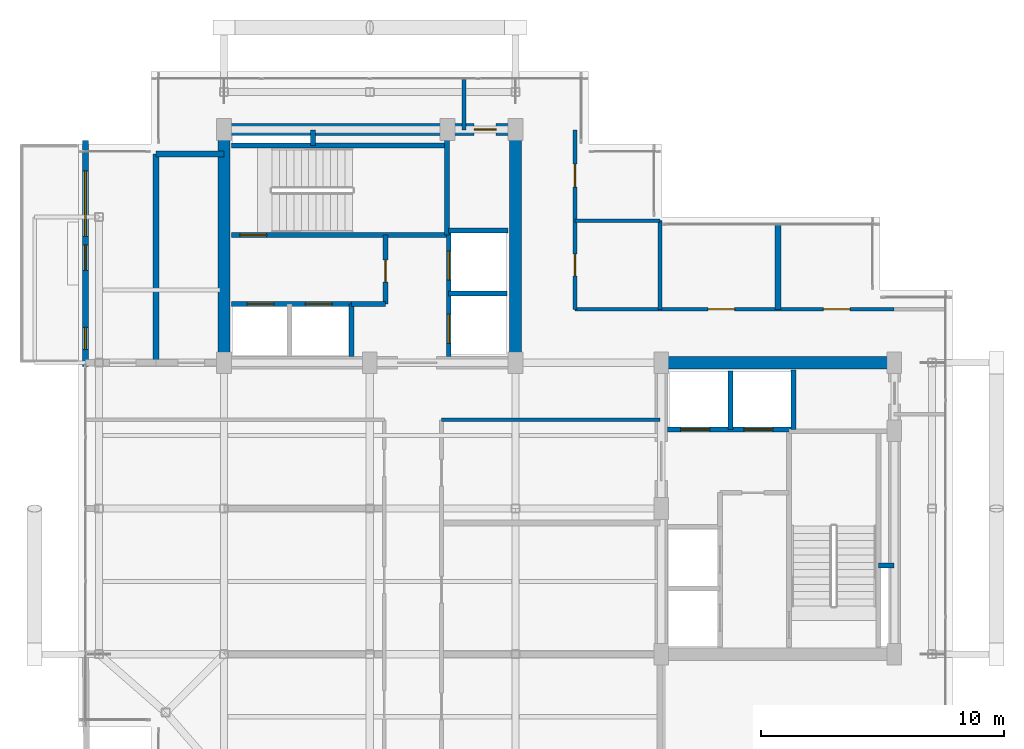
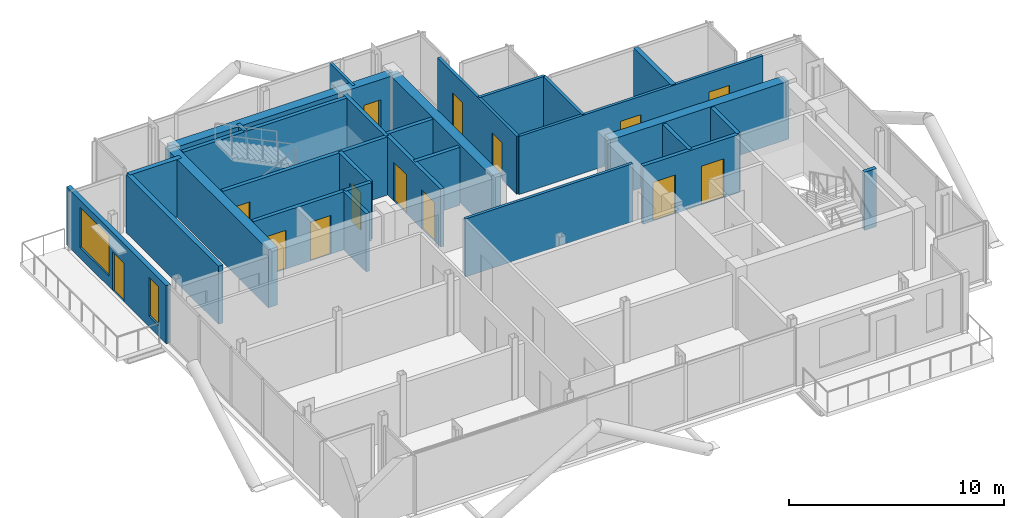
# One storey, part 16 of 19: 29 walls, 14 doors, 2 windows, 16 openings.
"""IFC4 building model written with IfcOpenShell, lengths in metres."""

from ifc_helpers import new_model, si_unit, direction, frame, frame_2d, origin, place, context, subcontext, project, spatial, rectangle, extrude, material, layer, layer_set, type_object, element, fill, save


model = new_model("IFC4")

# Units and contexts
model_context = context("Model", 3, precision=1e-05, world=origin(), true_north=direction((0.0, 1.0)))
body_context = subcontext(model_context, "Body", "Model", "MODEL_VIEW")
ifc_project = project(units=[si_unit("LENGTHUNIT", "METRE"), si_unit("AREAUNIT", "SQUARE_METRE"), si_unit("VOLUMEUNIT", "CUBIC_METRE"), si_unit("PLANEANGLEUNIT", "RADIAN"), si_unit("MASSUNIT", "GRAM", prefix="KILO"), si_unit("THERMODYNAMICTEMPERATUREUNIT", "KELVIN"), si_unit("POWERUNIT", "WATT")], contexts=[model_context])

# Site, building, storey
site_placement = place(None, origin())
site = spatial("IfcSite", under=ifc_project, at=site_placement, CompositionType="ELEMENT")
building_placement = place(site_placement, origin())
building = spatial("IfcBuilding", under=site, at=building_placement, Name="Svarakhadi Broadcast Tower", CompositionType="ELEMENT")
storey_placement = place(building_placement, frame((0.0, 0.0, 285.199951171875)))
storey = spatial("IfcBuildingStorey", under=building, at=storey_placement, Name="L72", CompositionType="ELEMENT", Elevation=285.199951171875)

# Walls
ifc_material_1 = material(Name="Double-Stud Acoustic Studio Partition STC-62", Category="gypsum")
ifc_layer_1 = layer(ifc_material_1, 0.25)
ifc_layer_set_1 = layer_set([ifc_layer_1], Name="Double-Stud Acoustic Studio Partition STC-62")
wall_type_1 = type_object("IfcWallType", Name="Wall_Acoust_250", PredefinedType="PARTITIONING", material=ifc_layer_set_1)
wall_1_placement = place(storey_placement, frame((28.800048828125, 20.199951171875, 0.0), z_axis=(0.0, 0.0, 1.0), x_axis=(0.0, 1.0, 0.0)))
element("IfcWall", 1, at=wall_1_placement, inside=storey, type_object=wall_type_1, Name="L72 Harbour Sky Club Reading Room Wall", PredefinedType="PARTITIONING", context=body_context, shape_type="SweptSolid", body=[
    extrude(rectangle(XDim=3.5, YDim=0.25, at=frame_2d((1.75, 0.0))), origin(), (0.0, 0.0, 1.0), 3.300048828125),
])
wall_2_placement = place(storey_placement, frame((3.199951171875, 18.0, 0.0), z_axis=(0.0, 0.0, 1.0), x_axis=(0.0, 1.0, 0.0)))
element("IfcWall", 2, at=wall_2_placement, inside=storey, type_object=wall_type_1, Name="L72 State Reception Salon Wall", PredefinedType="PARTITIONING", context=body_context, shape_type="SweptSolid", body=[
    extrude(rectangle(XDim=8.60009765625, YDim=0.25, at=frame_2d((4.300048828125, 0.0))), origin(), (0.0, 0.0, 1.0), 3.300048828125),
])
wall_3_placement = place(storey_placement, frame((3.199951171875, 26.60009765625, 0.0), z_axis=(0.0, 0.0, 1.0), x_axis=(1.0, 0.0, 0.0)))
element("IfcWall", 3, at=wall_3_placement, inside=storey, type_object=wall_type_1, Name="L72 Protocol Registry Office Wall", PredefinedType="PARTITIONING", context=body_context, shape_type="SweptSolid", body=[
    extrude(rectangle(XDim=2.800048828125, YDim=0.25, at=frame_2d((1.39990234375, 0.0))), origin(), (0.0, 0.0, 1.0), 3.300048828125),
])

# Wall, openings, door, windows
ifc_material_2 = material(Name="Concrete C40/50 (IS 456 M50)", Category="concrete")
ifc_layer_2 = layer(ifc_material_2, 0.239990234375)
ifc_layer_set_2 = layer_set([ifc_layer_2], Name="Concrete C40/50 (IS 456 M50)")
wall_type_2 = type_object("IfcWallType", Name="Wall_Ext_240", PredefinedType="SOLIDWALL", material=ifc_layer_set_2)
wall_4_placement = place(storey_placement, frame((0.300048828125, 17.85498046875, 0.0), z_axis=(0.0, 0.0, 1.0), x_axis=(0.0, 1.0, 0.0)))
wall_4 = element("IfcWall", 4, at=wall_4_placement, inside=storey, type_object=wall_type_2, Name="L72 West Tree Balcony Spandrel Wall", PredefinedType="SOLIDWALL", context=body_context, shape_type="SweptSolid", body=[
    extrude(rectangle(XDim=9.2900390625, YDim=0.239990234375, at=frame_2d((4.64501953125, 0.0))), origin(), (0.0, 0.0, 1.0), 3.300048828125),
])
opening_1_placement = place(wall_4_placement, frame((3.945068359375, 0.0, 0.0)))
opening_1 = element("IfcOpeningElement", 5, at=opening_1_placement, cuts=wall_4, Name="Opening ED-05", PredefinedType="OPENING", context=body_context, shape_type="SweptSolid", body=[
    extrude(rectangle(XDim=1.050048828125, YDim=2.199951171875, at=frame_2d((0.52490234375, 1.10009765625))), frame((0.0, 0.1298828125, 0.0), z_axis=(0.0, -1.0, 0.0), x_axis=(1.0, 0.0, 0.0)), (0.0, 0.0, 1.0), 0.260009765625),
])
opening_2_placement = place(wall_4_placement, frame((5.344970703125, 0.0, 0.60009765625)))
opening_2 = element("IfcOpeningElement", 6, at=opening_2_placement, cuts=wall_4, Name="Opening WN-07", PredefinedType="OPENING", context=body_context, shape_type="SweptSolid", body=[
    extrude(rectangle(XDim=2.699951171875, YDim=2.300048828125, at=frame_2d((1.35009765625, 1.14990234375))), frame((0.0, 0.1298828125, 0.0), z_axis=(0.0, -1.0, 0.0), x_axis=(1.0, 0.0, 0.0)), (0.0, 0.0, 1.0), 0.260009765625),
])
opening_3_placement = place(wall_4_placement, frame((0.699951171875, 0.0, 0.60009765625)))
opening_3 = element("IfcOpeningElement", 7, at=opening_3_placement, cuts=wall_4, Name="Opening WN-04", PredefinedType="OPENING", context=body_context, shape_type="SweptSolid", body=[
    extrude(rectangle(XDim=0.89990234375, YDim=2.199951171875, at=frame_2d((0.449951171875, 1.10009765625))), frame((0.0, 0.1298828125, 0.0), z_axis=(0.0, -1.0, 0.0), x_axis=(1.0, 0.0, 0.0)), (0.0, 0.0, 1.0), 0.260009765625),
])
ifc_material_3 = material(Name="Anodised Bronze Aluminium AA 6063-T6", Category="aluminium")
door_type_1 = type_object("IfcDoorType", Name="Door_Ext_ED05", OperationType="SINGLE_SWING_LEFT", PredefinedType="DOOR", material=ifc_material_3)
door_1_placement = place(opening_1_placement, origin())
door_1 = element("IfcDoor", 8, at=door_1_placement, inside=storey, type_object=door_type_1, Name="L72 West Tree Balcony Door", OperationType="SINGLE_SWING_LEFT", OverallHeight=2.199951171875, OverallWidth=1.050048828125, PredefinedType="DOOR", context=body_context, shape_type="SweptSolid", body=[
    extrude(rectangle(XDim=1.050048828125, YDim=2.199951171875, at=frame_2d((0.52490234375, 1.10009765625))), frame((0.0, 0.02490234375, 0.0), z_axis=(0.0, -1.0, 0.0), x_axis=(1.0, 0.0, 0.0)), (0.0, 0.0, 1.0), 0.050048828125),
])
fill(opening_1, door_1)
ifc_material_4 = material(Name="Double Low-E Laminated Acoustic Glass IGU 36 mm", Category="glass")
window_type_1 = type_object("IfcWindowType", Name="Win_Resi_WN07", PartitioningType="SINGLE_PANEL", PredefinedType="WINDOW", material=ifc_material_4)
window_1_placement = place(opening_2_placement, origin())
window_1 = element("IfcWindow", 9, at=window_1_placement, inside=storey, type_object=window_type_1, Name="L72 West Tree Balcony Window", OverallHeight=2.300048828125, OverallWidth=2.699951171875, PartitioningType="SINGLE_PANEL", PredefinedType="WINDOW", context=body_context, shape_type="SweptSolid", body=[
    extrude(rectangle(XDim=2.699951171875, YDim=2.300048828125, at=frame_2d((1.35009765625, 1.14990234375))), frame((0.0, 0.030029296875, 0.0), z_axis=(0.0, -1.0, 0.0), x_axis=(1.0, 0.0, 0.0)), (0.0, 0.0, 1.0), 0.06005859375),
])
fill(opening_2, window_1)
window_type_2 = type_object("IfcWindowType", Name="Win_Slot_WN04", PartitioningType="SINGLE_PANEL", PredefinedType="WINDOW", material=ifc_material_4)
window_2_placement = place(opening_3_placement, origin())
window_2 = element("IfcWindow", 10, at=window_2_placement, inside=storey, type_object=window_type_2, Name="L72 West Secondary Bedroom Slot Window", OverallHeight=2.199951171875, OverallWidth=0.89990234375, PartitioningType="SINGLE_PANEL", PredefinedType="WINDOW", context=body_context, shape_type="SweptSolid", body=[
    extrude(rectangle(XDim=0.89990234375, YDim=2.199951171875, at=frame_2d((0.449951171875, 1.10009765625))), frame((0.0, 0.030029296875, 0.0), z_axis=(0.0, -1.0, 0.0), x_axis=(1.0, 0.0, 0.0)), (0.0, 0.0, 1.0), 0.06005859375),
])
fill(opening_3, window_2)

# Walls
ifc_layer_3 = layer(ifc_material_2, 0.199951171875)
ifc_layer_set_3 = layer_set([ifc_layer_3], Name="Concrete C40/50 (IS 456 M50)")
wall_type_3 = type_object("IfcWallType", Name="Wall_Fire_200", PredefinedType="SOLIDWALL", material=ifc_layer_set_3)
for number, where, z_axis, x_axis, name in (
    (11, (9.659912109375, 26.93994140625, 0.0), (0.0, 0.0, 1.0), (0.0, 1.0, 0.0), "L72 Wet Riser Shaft East Wall"),
    (12, (32.93994140625, 9.659912109375, 0.0), (0.0, 0.0, 1.0), (1.0, 0.0, 0.0), "L72 HV Busduct Riser Shaft North Wall"),
):
    element("IfcWall", number, at=place(storey_placement, frame(where, z_axis=z_axis, x_axis=x_axis)), inside=storey, type_object=wall_type_3, Name=name, PredefinedType="SOLIDWALL", context=body_context, shape_type="SweptSolid", body=[
        extrude(rectangle(XDim=0.64013671875, YDim=0.199951171875, at=frame_2d((0.320068359375, 0.0))), origin(), (0.0, 0.0, 1.0), 3.300048828125),
    ])
ifc_material_5 = material(Name="Autoclaved Aerated Concrete Blockwork 150 mm", Category="masonry")
ifc_layer_4 = layer(ifc_material_5, 0.14990234375)
ifc_layer_set_4 = layer_set([ifc_layer_4], Name="Autoclaved Aerated Concrete Blockwork 150 mm")
wall_type_4 = type_object("IfcWallType", Name="Wall_Part_150", PredefinedType="PARTITIONING", material=ifc_layer_set_4)
wall_5_placement = place(storey_placement, frame((15.8798828125, 27.580078125, 0.0), z_axis=(0.0, 0.0, 1.0), x_axis=(0.0, 1.0, 0.0)))
element("IfcWall", 13, at=wall_5_placement, inside=storey, type_object=wall_type_4, Name="L72 Upper Tower Concourse Wall", PredefinedType="PARTITIONING", context=body_context, shape_type="SweptSolid", body=[
    extrude(rectangle(XDim=2.119873046875, YDim=0.14990234375, at=frame_2d((1.06005859375, 0.0))), origin(), (0.0, 0.0, 1.0), 3.300048828125),
])

# Wall, openings, doors
wall_6_placement = place(storey_placement, frame((20.449951171875, 27.580078125, 0.0), z_axis=(0.0, 0.0, 1.0), x_axis=(0.0, -1.0, 0.0)))
wall_6 = element("IfcWall", 14, at=wall_6_placement, inside=storey, type_object=wall_type_4, Name="L72 Upper Tower Concourse Wall", PredefinedType="PARTITIONING", context=body_context, shape_type="SweptSolid", body=[
    extrude(rectangle(XDim=7.380126953125, YDim=0.14990234375, at=frame_2d((3.68994140625, 0.0))), origin(), (0.0, 0.0, 1.0), 3.300048828125),
])
opening_4_placement = place(wall_6_placement, frame((5.10498046875, 0.0, 0.0)))
opening_4 = element("IfcOpeningElement", 15, at=opening_4_placement, cuts=wall_6, Name="Opening D-12", PredefinedType="OPENING", context=body_context, shape_type="SweptSolid", body=[
    extrude(rectangle(XDim=0.89990234375, YDim=2.10009765625, at=frame_2d((0.449951171875, 1.050048828125))), frame((0.0, 0.0849609375, 0.0), z_axis=(0.0, -1.0, 0.0), x_axis=(1.0, 0.0, 0.0)), (0.0, 0.0, 1.0), 0.169921875),
])
opening_5_placement = place(wall_6_placement, frame((1.405029296875, 0.0, 0.0)))
opening_5 = element("IfcOpeningElement", 16, at=opening_5_placement, cuts=wall_6, Name="Opening D-07", PredefinedType="OPENING", context=body_context, shape_type="SweptSolid", body=[
    extrude(rectangle(XDim=0.949951171875, YDim=2.14990234375, at=frame_2d((0.47509765625, 1.074951171875))), frame((0.0, 0.0849609375, 0.0), z_axis=(0.0, -1.0, 0.0), x_axis=(1.0, 0.0, 0.0)), (0.0, 0.0, 1.0), 0.169921875),
])
ifc_material_6 = material(Name="Solid-Core Teak Veneer Acoustic Timber Leaf", Category="wood")
door_type_2 = type_object("IfcDoorType", Name="Door_Office_D07", OperationType="SINGLE_SWING_RIGHT", PredefinedType="DOOR", material=ifc_material_6)
door_2_placement = place(opening_5_placement, origin())
door_2 = element("IfcDoor", 17, at=door_2_placement, inside=storey, type_object=door_type_2, Name="L72 Hotel Butler Service Pantry Door", OperationType="SINGLE_SWING_RIGHT", OverallHeight=2.14990234375, OverallWidth=0.949951171875, PredefinedType="DOOR", context=body_context, shape_type="SweptSolid", body=[
    extrude(rectangle(XDim=0.949951171875, YDim=2.14990234375, at=frame_2d((0.47509765625, 1.074951171875))), frame((0.0, 0.02490234375, 0.0), z_axis=(0.0, -1.0, 0.0), x_axis=(1.0, 0.0, 0.0)), (0.0, 0.0, 1.0), 0.050048828125),
])
fill(opening_5, door_2)
door_type_3 = type_object("IfcDoorType", Name="Door_WC_D01", OperationType="SINGLE_SWING_LEFT", PredefinedType="DOOR", material=ifc_material_6)
door_3_placement = place(opening_4_placement, origin())
door_3 = element("IfcDoor", 18, at=door_3_placement, inside=storey, type_object=door_type_3, Name="L72 Accessible Visitor Washroom WC Door", OperationType="SINGLE_SWING_LEFT", OverallHeight=2.10009765625, OverallWidth=0.89990234375, PredefinedType="DOOR", context=body_context, shape_type="SweptSolid", body=[
    extrude(rectangle(XDim=0.89990234375, YDim=2.10009765625, at=frame_2d((0.449951171875, 1.050048828125))), frame((0.0, 0.02490234375, 0.0), z_axis=(0.0, -1.0, 0.0), x_axis=(1.0, 0.0, 0.0)), (0.0, 0.0, 1.0), 0.050048828125),
])
fill(opening_4, door_3)

wall_7_placement = place(storey_placement, frame((20.449951171875, 20.199951171875, 0.0), z_axis=(0.0, 0.0, 1.0), x_axis=(1.0, 0.0, 0.0)))
wall_7 = element("IfcWall", 19, at=wall_7_placement, inside=storey, type_object=wall_type_4, Name="L72 Upper Tower Concourse Wall", PredefinedType="PARTITIONING", context=body_context, shape_type="SweptSolid", body=[
    extrude(rectangle(XDim=13.130126953125, YDim=0.14990234375, at=frame_2d((6.56494140625, 0.0))), origin(), (0.0, 0.0, 1.0), 3.300048828125),
])
opening_6_placement = place(wall_7_placement, frame((5.47509765625, 0.0, 0.0)))
opening_6 = element("IfcOpeningElement", 20, at=opening_6_placement, cuts=wall_7, Name="Opening D-10", PredefinedType="OPENING", context=body_context, shape_type="SweptSolid", body=[
    extrude(rectangle(XDim=1.10009765625, YDim=2.25, at=frame_2d((0.550048828125, 1.125))), frame((0.0, 0.0849609375, 0.0), z_axis=(0.0, -1.0, 0.0), x_axis=(1.0, 0.0, 0.0)), (0.0, 0.0, 1.0), 0.169921875),
])
opening_7_placement = place(wall_7_placement, frame((10.22509765625, 0.0, 0.0)))
opening_7 = element("IfcOpeningElement", 21, at=opening_7_placement, cuts=wall_7, Name="Opening D-11", PredefinedType="OPENING", context=body_context, shape_type="SweptSolid", body=[
    extrude(rectangle(XDim=1.10009765625, YDim=2.25, at=frame_2d((0.550048828125, 1.125))), frame((0.0, 0.0849609375, 0.0), z_axis=(0.0, -1.0, 0.0), x_axis=(1.0, 0.0, 0.0)), (0.0, 0.0, 1.0), 0.169921875),
])
door_type_4 = type_object("IfcDoorType", Name="Door_Acoust_D10", OperationType="SINGLE_SWING_LEFT", PredefinedType="DOOR", material=ifc_material_6)
door_4_placement = place(opening_6_placement, origin())
door_4 = element("IfcDoor", 22, at=door_4_placement, inside=storey, type_object=door_type_4, Name="L72 Harbour Sky Club Reading Room Door", OperationType="SINGLE_SWING_LEFT", OverallHeight=2.25, OverallWidth=1.10009765625, PredefinedType="DOOR", context=body_context, shape_type="SweptSolid", body=[
    extrude(rectangle(XDim=1.10009765625, YDim=2.25, at=frame_2d((0.550048828125, 1.125))), frame((0.0, 0.02490234375, 0.0), z_axis=(0.0, -1.0, 0.0), x_axis=(1.0, 0.0, 0.0)), (0.0, 0.0, 1.0), 0.050048828125),
])
fill(opening_6, door_4)
door_type_5 = type_object("IfcDoorType", Name="Door_Acoust_D11", OperationType="SINGLE_SWING_RIGHT", PredefinedType="DOOR", material=ifc_material_6)
door_5_placement = place(opening_7_placement, origin())
door_5 = element("IfcDoor", 23, at=door_5_placement, inside=storey, type_object=door_type_5, Name="L72 Private Sommelier Tasting Pantry Door", OperationType="SINGLE_SWING_RIGHT", OverallHeight=2.25, OverallWidth=1.10009765625, PredefinedType="DOOR", context=body_context, shape_type="SweptSolid", body=[
    extrude(rectangle(XDim=1.10009765625, YDim=2.25, at=frame_2d((0.550048828125, 1.125))), frame((0.0, 0.02490234375, 0.0), z_axis=(0.0, -1.0, 0.0), x_axis=(1.0, 0.0, 0.0)), (0.0, 0.0, 1.0), 0.050048828125),
])
fill(opening_7, door_5)

# Walls
wall_8_placement = place(storey_placement, frame((23.949951171875, 15.64990234375, 0.0), z_axis=(0.0, 0.0, 1.0), x_axis=(-1.0, 0.0, 0.0)))
element("IfcWall", 24, at=wall_8_placement, inside=storey, type_object=wall_type_4, Name="L72 Upper Tower Concourse Wall", PredefinedType="PARTITIONING", context=body_context, shape_type="SweptSolid", body=[
    extrude(rectangle(XDim=9.0, YDim=0.14990234375, at=frame_2d((4.5, 0.0))), origin(), (0.0, 0.0, 1.0), 3.300048828125),
])
wall_9_placement = place(storey_placement, frame((20.449951171875, 23.85009765625, 0.0), z_axis=(0.0, 0.0, 1.0), x_axis=(1.0, 0.0, 0.0)))
element("IfcWall", 25, at=wall_9_placement, inside=storey, type_object=wall_type_4, Name="L72 Accessible Visitor Washroom WC Wall", PredefinedType="PARTITIONING", context=body_context, shape_type="SweptSolid", body=[
    extrude(rectangle(XDim=3.5, YDim=0.14990234375, at=frame_2d((1.75, 0.0))), origin(), (0.0, 0.0, 1.0), 3.300048828125),
])
wall_10_placement = place(storey_placement, frame((23.949951171875, 20.199951171875, 0.0), z_axis=(0.0, 0.0, 1.0), x_axis=(0.0, 1.0, 0.0)))
element("IfcWall", 26, at=wall_10_placement, inside=storey, type_object=wall_type_4, Name="L72 Accessible Visitor Washroom WC Wall", PredefinedType="PARTITIONING", context=body_context, shape_type="SweptSolid", body=[
    extrude(rectangle(XDim=3.650146484375, YDim=0.14990234375, at=frame_2d((1.8251953125, 0.0))), origin(), (0.0, 0.0, 1.0), 3.300048828125),
])

# Wall, opening, door
ifc_material_7 = material(Name="Concrete C50/60 (IS 456 M60)", Category="concrete")
ifc_layer_5 = layer(ifc_material_7, 0.199951171875)
ifc_layer_set_5 = layer_set([ifc_layer_5], Name="Concrete C50/60 (IS 456 M60)")
wall_type_5 = type_object("IfcWallType", Name="Wall_Shear_200", PredefinedType="SHEAR", material=ifc_layer_set_5)
wall_11_placement = place(storey_placement, frame((6.300048828125, 23.260009765625, 0.0), z_axis=(0.0, 0.0, 1.0), x_axis=(1.0, 0.0, 0.0)))
wall_11 = element("IfcWall", 27, at=wall_11_placement, inside=storey, type_object=wall_type_5, Name="L72 Stair ST-01 South RC Shaft Wall", PredefinedType="SHEAR", context=body_context, shape_type="SweptSolid", body=[
    extrude(rectangle(XDim=8.8798828125, YDim=0.199951171875, at=frame_2d((4.43994140625, 0.0))), origin(), (0.0, 0.0, 1.0), 3.300048828125),
])
opening_8_placement = place(wall_11_placement, frame((0.35009765625, 0.0, 0.0)))
opening_8 = element("IfcOpeningElement", 28, at=opening_8_placement, cuts=wall_11, Name="Opening D-01", PredefinedType="OPENING", context=body_context, shape_type="SweptSolid", body=[
    extrude(rectangle(XDim=1.10009765625, YDim=2.199951171875, at=frame_2d((0.550048828125, 1.10009765625))), frame((0.0, 0.10986328125, 0.0), z_axis=(0.0, -1.0, 0.0), x_axis=(1.0, 0.0, 0.0)), (0.0, 0.0, 1.0), 0.219970703125),
])
ifc_material_8 = material(Name="Galvanised Powder-Coated Fire-Rated Steel Leaf", Category="steel")
door_type_6 = type_object("IfcDoorType", Name="Door_Stair_D01", OperationType="SINGLE_SWING_LEFT", PredefinedType="DOOR", material=ifc_material_8)
door_6_placement = place(opening_8_placement, origin())
door_6 = element("IfcDoor", 29, at=door_6_placement, inside=storey, type_object=door_type_6, Name="L72 Protected Exit Stair ST-01 Fire Door", OperationType="SINGLE_SWING_LEFT", OverallHeight=2.199951171875, OverallWidth=1.10009765625, PredefinedType="DOOR", context=body_context, shape_type="SweptSolid", body=[
    extrude(rectangle(XDim=1.10009765625, YDim=2.199951171875, at=frame_2d((0.550048828125, 1.10009765625))), frame((0.0, 0.02490234375, 0.0), z_axis=(0.0, -1.0, 0.0), x_axis=(1.0, 0.0, 0.0)), (0.0, 0.0, 1.0), 0.050048828125),
])
fill(opening_8, door_6)

# Walls
wall_12_placement = place(storey_placement, frame((6.300048828125, 26.93994140625, 0.0), z_axis=(0.0, 0.0, 1.0), x_axis=(1.0, 0.0, 0.0)))
element("IfcWall", 30, at=wall_12_placement, inside=storey, type_object=wall_type_5, Name="L72 Stair ST-01 North RC Shaft Wall", PredefinedType="SHEAR", context=body_context, shape_type="SweptSolid", body=[
    extrude(rectangle(XDim=8.8798828125, YDim=0.199951171875, at=frame_2d((4.43994140625, 0.0))), origin(), (0.0, 0.0, 1.0), 3.300048828125),
])
wall_13_placement = place(storey_placement, frame((15.179931640625, 23.260009765625, 0.0), z_axis=(0.0, 0.0, 1.0), x_axis=(0.0, 1.0, 0.0)))
element("IfcWall", 31, at=wall_13_placement, inside=storey, type_object=wall_type_5, Name="L72 Stair ST-01 East RC Shaft Wall", PredefinedType="SHEAR", context=body_context, shape_type="SweptSolid", body=[
    extrude(rectangle(XDim=4.0400390625, YDim=0.199951171875, at=frame_2d((2.02001953125, 0.0))), origin(), (0.0, 0.0, 1.0), 3.300048828125),
])

# Wall, openings, doors
wall_14_placement = place(storey_placement, frame((6.300048828125, 20.419921875, 0.0), z_axis=(0.0, 0.0, 1.0), x_axis=(1.0, 0.0, 0.0)))
wall_14 = element("IfcWall", 32, at=wall_14_placement, inside=storey, type_object=wall_type_5, Name="L72 Firefighting Lift LF-01/02 Shaft Wall", PredefinedType="SHEAR", context=body_context, shape_type="SweptSolid", body=[
    extrude(rectangle(XDim=4.949951171875, YDim=0.199951171875, at=frame_2d((2.47509765625, 0.0))), origin(), (0.0, 0.0, 1.0), 3.300048828125),
])
opening_9_placement = place(wall_14_placement, frame((0.64990234375, 0.0, 0.0)))
opening_9 = element("IfcOpeningElement", 33, at=opening_9_placement, cuts=wall_14, Name="Opening LD-01", PredefinedType="OPENING", context=body_context, shape_type="SweptSolid", body=[
    extrude(rectangle(XDim=1.10009765625, YDim=2.199951171875, at=frame_2d((0.550048828125, 1.10009765625))), frame((0.0, 0.10986328125, 0.0), z_axis=(0.0, -1.0, 0.0), x_axis=(1.0, 0.0, 0.0)), (0.0, 0.0, 1.0), 0.219970703125),
])
opening_10_placement = place(wall_14_placement, frame((3.050048828125, 0.0, 0.0)))
opening_10 = element("IfcOpeningElement", 34, at=opening_10_placement, cuts=wall_14, Name="Opening LD-01", PredefinedType="OPENING", context=body_context, shape_type="SweptSolid", body=[
    extrude(rectangle(XDim=1.10009765625, YDim=2.199951171875, at=frame_2d((0.550048828125, 1.10009765625))), frame((0.0, 0.10986328125, 0.0), z_axis=(0.0, -1.0, 0.0), x_axis=(1.0, 0.0, 0.0)), (0.0, 0.0, 1.0), 0.219970703125),
])
door_type_7 = type_object("IfcDoorType", Name="Door_Lift_LD01", OperationType="SLIDING_TO_LEFT", PredefinedType="DOOR", material=ifc_material_8)
door_7_placement = place(opening_9_placement, origin())
door_7 = element("IfcDoor", 35, at=door_7_placement, inside=storey, type_object=door_type_7, Name="L72 Firefighting Lift LF-01 Landing Door", OperationType="SLIDING_TO_LEFT", OverallHeight=2.199951171875, OverallWidth=1.10009765625, PredefinedType="DOOR", context=body_context, shape_type="SweptSolid", body=[
    extrude(rectangle(XDim=1.10009765625, YDim=2.199951171875, at=frame_2d((0.550048828125, 1.10009765625))), frame((0.0, 0.02490234375, 0.0), z_axis=(0.0, -1.0, 0.0), x_axis=(1.0, 0.0, 0.0)), (0.0, 0.0, 1.0), 0.050048828125),
])
fill(opening_9, door_7)
door_8_placement = place(opening_10_placement, origin())
door_8 = element("IfcDoor", 36, at=door_8_placement, inside=storey, type_object=door_type_7, Name="L72 Firefighting Lift LF-02 Landing Door", OperationType="SLIDING_TO_LEFT", OverallHeight=2.199951171875, OverallWidth=1.10009765625, PredefinedType="DOOR", context=body_context, shape_type="SweptSolid", body=[
    extrude(rectangle(XDim=1.10009765625, YDim=2.199951171875, at=frame_2d((0.550048828125, 1.10009765625))), frame((0.0, 0.02490234375, 0.0), z_axis=(0.0, -1.0, 0.0), x_axis=(1.0, 0.0, 0.0)), (0.0, 0.0, 1.0), 0.050048828125),
])
fill(opening_10, door_8)

# Walls
wall_15_placement = place(storey_placement, frame((11.25, 18.25, 0.0), z_axis=(0.0, 0.0, 1.0), x_axis=(0.0, 1.0, 0.0)))
element("IfcWall", 37, at=wall_15_placement, inside=storey, type_object=wall_type_5, Name="L72 Firefighting Lift LF-02 East Wall", PredefinedType="SHEAR", context=body_context, shape_type="SweptSolid", body=[
    extrude(rectangle(XDim=2.169921875, YDim=0.199951171875, at=frame_2d((1.0849609375, 0.0))), origin(), (0.0, 0.0, 1.0), 3.300048828125),
])
wall_16_placement = place(storey_placement, frame((11.25, 20.419921875, 0.0), z_axis=(0.0, 0.0, 1.0), x_axis=(1.0, 0.0, 0.0)))
element("IfcWall", 38, at=wall_16_placement, inside=storey, type_object=wall_type_5, Name="L72 West Firefighting Lobby South Wall", PredefinedType="SHEAR", context=body_context, shape_type="SweptSolid", body=[
    extrude(rectangle(XDim=1.39990234375, YDim=0.199951171875, at=frame_2d((0.699951171875, 0.0))), origin(), (0.0, 0.0, 1.0), 3.300048828125),
])

# Wall, opening, door
wall_17_placement = place(storey_placement, frame((12.64990234375, 20.419921875, 0.0), z_axis=(0.0, 0.0, 1.0), x_axis=(0.0, 1.0, 0.0)))
wall_17 = element("IfcWall", 39, at=wall_17_placement, inside=storey, type_object=wall_type_5, Name="L72 West Firefighting Lobby East Wall", PredefinedType="SHEAR", context=body_context, shape_type="SweptSolid", body=[
    extrude(rectangle(XDim=2.840087890625, YDim=0.199951171875, at=frame_2d((1.419921875, 0.0))), origin(), (0.0, 0.0, 1.0), 3.300048828125),
])
opening_11_placement = place(wall_17_placement, frame((0.89990234375, 0.0, 0.0)))
opening_11 = element("IfcOpeningElement", 40, at=opening_11_placement, cuts=wall_17, Name="Opening D-04", PredefinedType="OPENING", context=body_context, shape_type="SweptSolid", body=[
    extrude(rectangle(XDim=0.89990234375, YDim=2.14990234375, at=frame_2d((0.449951171875, 1.074951171875))), frame((0.0, 0.10986328125, 0.0), z_axis=(0.0, -1.0, 0.0), x_axis=(1.0, 0.0, 0.0)), (0.0, 0.0, 1.0), 0.219970703125),
])
door_type_8 = type_object("IfcDoorType", Name="Door_Fire_D04", OperationType="SINGLE_SWING_RIGHT", PredefinedType="DOOR", material=ifc_material_8)
door_9_placement = place(opening_11_placement, origin())
door_9 = element("IfcDoor", 41, at=door_9_placement, inside=storey, type_object=door_type_8, Name="L72 West Firefighting Lobby Fire Door", OperationType="SINGLE_SWING_RIGHT", OverallHeight=2.14990234375, OverallWidth=0.89990234375, PredefinedType="DOOR", context=body_context, shape_type="SweptSolid", body=[
    extrude(rectangle(XDim=0.89990234375, YDim=2.14990234375, at=frame_2d((0.449951171875, 1.074951171875))), frame((0.0, 0.02490234375, 0.0), z_axis=(0.0, -1.0, 0.0), x_axis=(1.0, 0.0, 0.0)), (0.0, 0.0, 1.0), 0.050048828125),
])
fill(opening_11, door_9)

# Wall, openings, doors
wall_18_placement = place(storey_placement, frame((15.25, 18.25, 0.0), z_axis=(0.0, 0.0, 1.0), x_axis=(0.0, 1.0, 0.0)))
wall_18 = element("IfcWall", 42, at=wall_18_placement, inside=storey, type_object=wall_type_5, Name="L72 High-Rise Lift LF-13/14 West Shaft Wall", PredefinedType="SHEAR", context=body_context, shape_type="SweptSolid", body=[
    extrude(rectangle(XDim=5.199951171875, YDim=0.199951171875, at=frame_2d((2.60009765625, 0.0))), origin(), (0.0, 0.0, 1.0), 3.300048828125),
])
opening_12_placement = place(wall_18_placement, frame((0.550048828125, 0.0, 0.0)))
opening_12 = element("IfcOpeningElement", 43, at=opening_12_placement, cuts=wall_18, Name="Opening LD-02", PredefinedType="OPENING", context=body_context, shape_type="SweptSolid", body=[
    extrude(rectangle(XDim=1.199951171875, YDim=2.199951171875, at=frame_2d((0.60009765625, 1.10009765625))), frame((0.0, 0.10986328125, 0.0), z_axis=(0.0, -1.0, 0.0), x_axis=(1.0, 0.0, 0.0)), (0.0, 0.0, 1.0), 0.219970703125),
])
opening_13_placement = place(wall_18_placement, frame((3.14990234375, 0.0, 0.0)))
opening_13 = element("IfcOpeningElement", 44, at=opening_13_placement, cuts=wall_18, Name="Opening LD-02", PredefinedType="OPENING", context=body_context, shape_type="SweptSolid", body=[
    extrude(rectangle(XDim=1.199951171875, YDim=2.199951171875, at=frame_2d((0.60009765625, 1.10009765625))), frame((0.0, 0.10986328125, 0.0), z_axis=(0.0, -1.0, 0.0), x_axis=(1.0, 0.0, 0.0)), (0.0, 0.0, 1.0), 0.219970703125),
])
door_type_9 = type_object("IfcDoorType", Name="Door_Lift_LD02", OperationType="SLIDING_TO_RIGHT", PredefinedType="DOOR", material=ifc_material_8)
door_10_placement = place(opening_12_placement, origin())
door_10 = element("IfcDoor", 45, at=door_10_placement, inside=storey, type_object=door_type_9, Name="L72 High-Rise Lift LF-13 Landing Door", OperationType="SLIDING_TO_RIGHT", OverallHeight=2.199951171875, OverallWidth=1.199951171875, PredefinedType="DOOR", context=body_context, shape_type="SweptSolid", body=[
    extrude(rectangle(XDim=1.199951171875, YDim=2.199951171875, at=frame_2d((0.60009765625, 1.10009765625))), frame((0.0, 0.02490234375, 0.0), z_axis=(0.0, -1.0, 0.0), x_axis=(1.0, 0.0, 0.0)), (0.0, 0.0, 1.0), 0.050048828125),
])
fill(opening_12, door_10)
door_11_placement = place(opening_13_placement, origin())
door_11 = element("IfcDoor", 46, at=door_11_placement, inside=storey, type_object=door_type_9, Name="L72 High-Rise Lift LF-14 Landing Door", OperationType="SLIDING_TO_RIGHT", OverallHeight=2.199951171875, OverallWidth=1.199951171875, PredefinedType="DOOR", context=body_context, shape_type="SweptSolid", body=[
    extrude(rectangle(XDim=1.199951171875, YDim=2.199951171875, at=frame_2d((0.60009765625, 1.10009765625))), frame((0.0, 0.02490234375, 0.0), z_axis=(0.0, -1.0, 0.0), x_axis=(1.0, 0.0, 0.0)), (0.0, 0.0, 1.0), 0.050048828125),
])
fill(opening_13, door_11)

# Walls
wall_19_placement = place(storey_placement, frame((15.25, 20.85009765625, 0.0), z_axis=(0.0, 0.0, 1.0), x_axis=(1.0, 0.0, 0.0)))
element("IfcWall", 47, at=wall_19_placement, inside=storey, type_object=wall_type_5, Name="L72 High-Rise Lift LF-13/14 Divider", PredefinedType="SHEAR", context=body_context, shape_type="SweptSolid", body=[
    extrude(rectangle(XDim=2.39990234375, YDim=0.199951171875, at=frame_2d((1.199951171875, 0.0))), origin(), (0.0, 0.0, 1.0), 3.300048828125),
])
wall_20_placement = place(storey_placement, frame((15.25, 23.449951171875, 0.0), z_axis=(0.0, 0.0, 1.0), x_axis=(1.0, 0.0, 0.0)))
element("IfcWall", 48, at=wall_20_placement, inside=storey, type_object=wall_type_5, Name="L72 High-Rise Lift LF-13/14 North Wall", PredefinedType="SHEAR", context=body_context, shape_type="SweptSolid", body=[
    extrude(rectangle(XDim=2.449951171875, YDim=0.199951171875, at=frame_2d((1.22509765625, 0.0))), origin(), (0.0, 0.0, 1.0), 3.300048828125),
])

# Wall, openings, doors
wall_21_placement = place(storey_placement, frame((24.25, 15.25, 0.0), z_axis=(0.0, 0.0, 1.0), x_axis=(1.0, 0.0, 0.0)))
wall_21 = element("IfcWall", 49, at=wall_21_placement, inside=storey, type_object=wall_type_5, Name="L72 High-Rise Lift LF-15/16 South Shaft Wall", PredefinedType="SHEAR", context=body_context, shape_type="SweptSolid", body=[
    extrude(rectangle(XDim=5.199951171875, YDim=0.199951171875, at=frame_2d((2.60009765625, 0.0))), origin(), (0.0, 0.0, 1.0), 3.300048828125),
])
opening_14_placement = place(wall_21_placement, frame((0.550048828125, 0.0, 0.0)))
opening_14 = element("IfcOpeningElement", 50, at=opening_14_placement, cuts=wall_21, Name="Opening LD-02", PredefinedType="OPENING", context=body_context, shape_type="SweptSolid", body=[
    extrude(rectangle(XDim=1.199951171875, YDim=2.199951171875, at=frame_2d((0.60009765625, 1.10009765625))), frame((0.0, 0.10986328125, 0.0), z_axis=(0.0, -1.0, 0.0), x_axis=(1.0, 0.0, 0.0)), (0.0, 0.0, 1.0), 0.219970703125),
])
opening_15_placement = place(wall_21_placement, frame((3.14990234375, 0.0, 0.0)))
opening_15 = element("IfcOpeningElement", 51, at=opening_15_placement, cuts=wall_21, Name="Opening LD-02", PredefinedType="OPENING", context=body_context, shape_type="SweptSolid", body=[
    extrude(rectangle(XDim=1.199951171875, YDim=2.199951171875, at=frame_2d((0.60009765625, 1.10009765625))), frame((0.0, 0.10986328125, 0.0), z_axis=(0.0, -1.0, 0.0), x_axis=(1.0, 0.0, 0.0)), (0.0, 0.0, 1.0), 0.219970703125),
])
door_12_placement = place(opening_14_placement, origin())
door_12 = element("IfcDoor", 52, at=door_12_placement, inside=storey, type_object=door_type_9, Name="L72 High-Rise Lift LF-15 Landing Door", OperationType="SLIDING_TO_RIGHT", OverallHeight=2.199951171875, OverallWidth=1.199951171875, PredefinedType="DOOR", context=body_context, shape_type="SweptSolid", body=[
    extrude(rectangle(XDim=1.199951171875, YDim=2.199951171875, at=frame_2d((0.60009765625, 1.10009765625))), frame((0.0, 0.02490234375, 0.0), z_axis=(0.0, -1.0, 0.0), x_axis=(1.0, 0.0, 0.0)), (0.0, 0.0, 1.0), 0.050048828125),
])
fill(opening_14, door_12)
door_13_placement = place(opening_15_placement, origin())
door_13 = element("IfcDoor", 53, at=door_13_placement, inside=storey, type_object=door_type_9, Name="L72 High-Rise Lift LF-16 Landing Door", OperationType="SLIDING_TO_RIGHT", OverallHeight=2.199951171875, OverallWidth=1.199951171875, PredefinedType="DOOR", context=body_context, shape_type="SweptSolid", body=[
    extrude(rectangle(XDim=1.199951171875, YDim=2.199951171875, at=frame_2d((0.60009765625, 1.10009765625))), frame((0.0, 0.02490234375, 0.0), z_axis=(0.0, -1.0, 0.0), x_axis=(1.0, 0.0, 0.0)), (0.0, 0.0, 1.0), 0.050048828125),
])
fill(opening_15, door_13)

# Walls
wall_22_placement = place(storey_placement, frame((26.85009765625, 15.25, 0.0), z_axis=(0.0, 0.0, 1.0), x_axis=(0.0, 1.0, 0.0)))
element("IfcWall", 54, at=wall_22_placement, inside=storey, type_object=wall_type_5, Name="L72 High-Rise Lift LF-15/16 Divider", PredefinedType="SHEAR", context=body_context, shape_type="SweptSolid", body=[
    extrude(rectangle(XDim=2.39990234375, YDim=0.199951171875, at=frame_2d((1.199951171875, 0.0))), origin(), (0.0, 0.0, 1.0), 3.300048828125),
])
wall_23_placement = place(storey_placement, frame((29.449951171875, 15.25, 0.0), z_axis=(0.0, 0.0, 1.0), x_axis=(0.0, 1.0, 0.0)))
element("IfcWall", 55, at=wall_23_placement, inside=storey, type_object=wall_type_5, Name="L72 High-Rise Lift LF-15/16 East Wall", PredefinedType="SHEAR", context=body_context, shape_type="SweptSolid", body=[
    extrude(rectangle(XDim=2.449951171875, YDim=0.199951171875, at=frame_2d((1.22509765625, 0.0))), origin(), (0.0, 0.0, 1.0), 3.300048828125),
])

# Wall, opening, door
ifc_layer_6 = layer(ifc_material_7, 0.5)
ifc_layer_set_6 = layer_set([ifc_layer_6], Name="Concrete C50/60 (IS 456 M60)")
wall_type_6 = type_object("IfcWallType", Name="Wall_Shear_500", PredefinedType="SHEAR", material=ifc_layer_set_6)
wall_24_placement = place(storey_placement, frame((6.0, 27.60009765625, 0.0), z_axis=(0.0, 0.0, 1.0), x_axis=(1.0, 0.0, 0.0)))
wall_24 = element("IfcWall", 56, at=wall_24_placement, inside=storey, type_object=wall_type_6, Name="L72 West Core North Shear Wall", PredefinedType="SHEAR", context=body_context, shape_type="SweptSolid", body=[
    extrude(rectangle(XDim=12.0, YDim=0.5, at=frame_2d((6.0, 0.0))), origin(), (0.0, 0.0, 1.0), 3.300048828125),
])
opening_16_placement = place(wall_24_placement, frame((10.300048828125, 0.0, 0.0)))
opening_16 = element("IfcOpeningElement", 57, at=opening_16_placement, cuts=wall_24, Name="Opening D-03", PredefinedType="OPENING", context=body_context, shape_type="SweptSolid", body=[
    extrude(rectangle(XDim=0.89990234375, YDim=2.14990234375, at=frame_2d((0.449951171875, 1.074951171875))), frame((0.0, 0.260009765625, 0.0), z_axis=(0.0, -1.0, 0.0), x_axis=(1.0, 0.0, 0.0)), (0.0, 0.0, 1.0), 0.52001953125),
])
door_type_10 = type_object("IfcDoorType", Name="Door_Fire_D03", OperationType="SINGLE_SWING_LEFT", PredefinedType="DOOR", material=ifc_material_8)
door_14_placement = place(opening_16_placement, origin())
door_14 = element("IfcDoor", 58, at=door_14_placement, inside=storey, type_object=door_type_10, Name="L72 Core Service Room West Door", OperationType="SINGLE_SWING_LEFT", OverallHeight=2.14990234375, OverallWidth=0.89990234375, PredefinedType="DOOR", context=body_context, shape_type="SweptSolid", body=[
    extrude(rectangle(XDim=0.89990234375, YDim=2.14990234375, at=frame_2d((0.449951171875, 1.074951171875))), frame((0.0, 0.02490234375, 0.0), z_axis=(0.0, -1.0, 0.0), x_axis=(1.0, 0.0, 0.0)), (0.0, 0.0, 1.0), 0.050048828125),
])
fill(opening_16, door_14)

# Walls
for number, where, z_axis, x_axis, name in (
    (59, (6.0, 18.0, 0.0), (0.0, 0.0, 1.0), (0.0, 1.0, 0.0), "L72 West Core West Shear Wall"),
    (60, (18.0, 18.0, 0.0), (0.0, 0.0, 1.0), (0.0, 1.0, 0.0), "L72 West Core East Shear Wall"),
    (61, (24.0, 18.0, 0.0), (0.0, 0.0, 1.0), (1.0, 0.0, 0.0), "L72 East Core North Shear Wall"),
):
    element("IfcWall", number, at=place(storey_placement, frame(where, z_axis=z_axis, x_axis=x_axis)), inside=storey, type_object=wall_type_6, Name=name, PredefinedType="SHEAR", context=body_context, shape_type="SweptSolid", body=[
        extrude(rectangle(XDim=9.60009765625, YDim=0.5, at=frame_2d((4.800048828125, 0.0))), origin(), (0.0, 0.0, 1.0), 3.300048828125),
    ])

save(model, "model.ifc")
